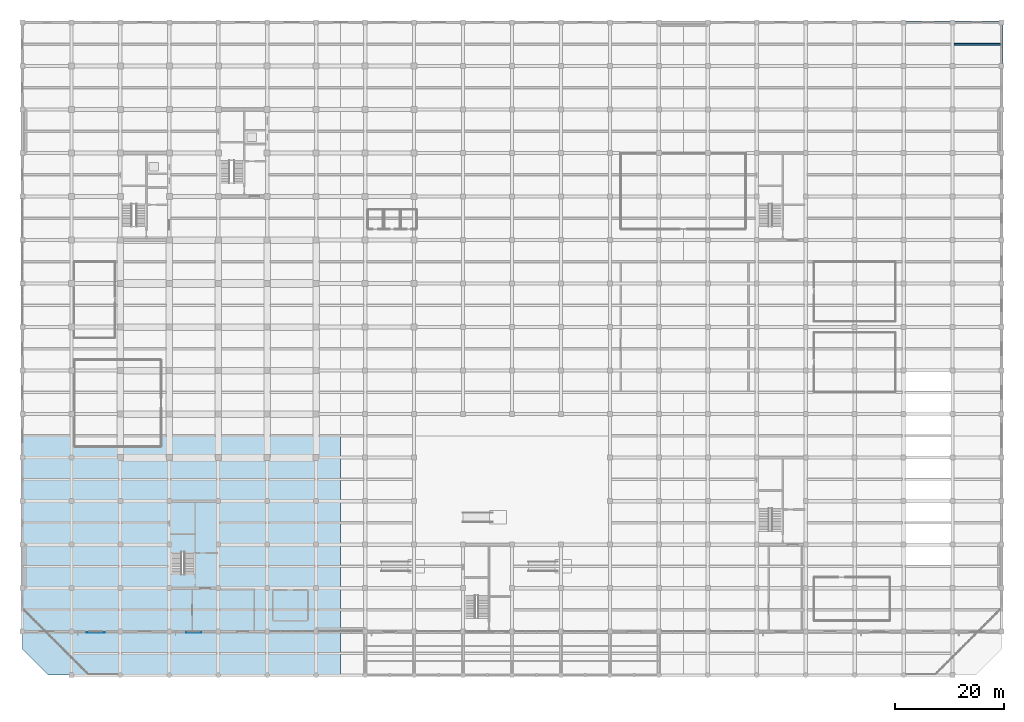
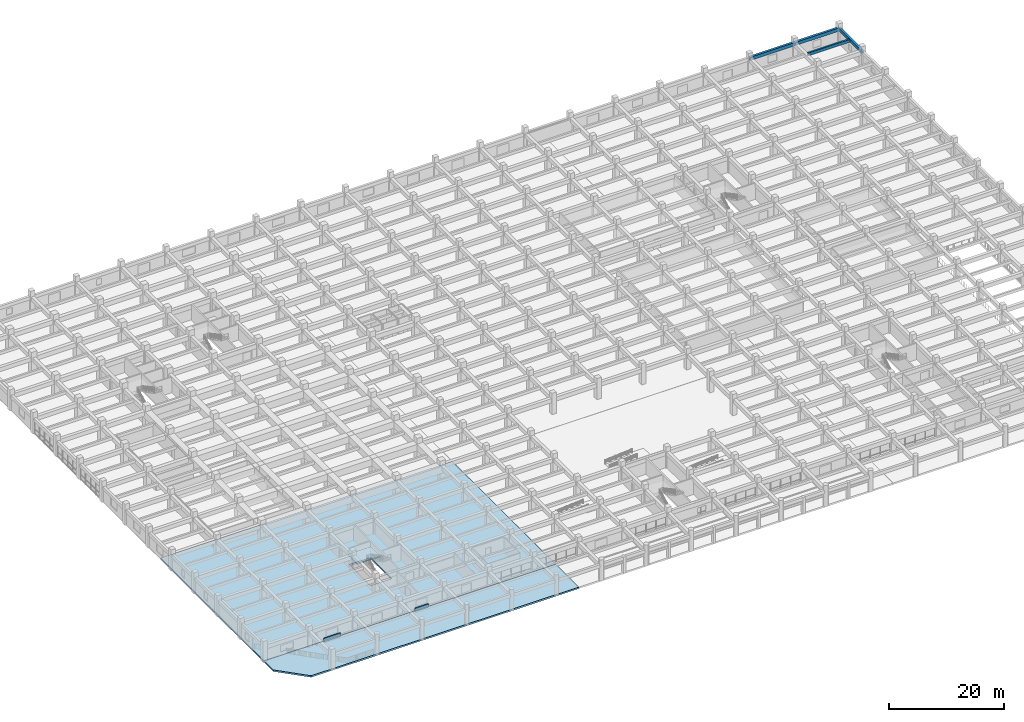
# One storey, part 16 of 40: 4 beams, 3 slabs, 2 plates, 1 element without a shape of its own.
"""IFC4 building model written with IfcOpenShell, lengths in metres."""

from ifc_helpers import new_model, si_unit, direction, frame, frame_2d, origin, origin_2d, place, context, subcontext, project, spatial, polyline, rectangle, outline, extrude, material, layer, layer_set, material_profile, profile_set, type_object, element, aggregate, save


model = new_model("IFC4")

# Units and contexts
model_context = context("Model", 3, precision=1e-05, world=origin(), true_north=direction((0.0, 1.0)))
body_context = subcontext(model_context, "Body", "Model", "MODEL_VIEW")
ifc_project = project(units=[si_unit("LENGTHUNIT", "METRE"), si_unit("AREAUNIT", "SQUARE_METRE"), si_unit("VOLUMEUNIT", "CUBIC_METRE"), si_unit("PLANEANGLEUNIT", "RADIAN"), si_unit("MASSUNIT", "GRAM", prefix="KILO")], contexts=[model_context])

# Site, building, storey
site_placement = place(None, origin())
site = spatial("IfcSite", under=ifc_project, at=site_placement, CompositionType="ELEMENT")
building_placement = place(site_placement, origin())
building = spatial("IfcBuilding", under=site, at=building_placement, Name="Zaverband Oceanarium and Marine Research Institute", CompositionType="ELEMENT")
storey_placement = place(building_placement, origin())
storey = spatial("IfcBuildingStorey", under=building, at=storey_placement, Name="L00", CompositionType="ELEMENT", Elevation=0.0)

# Beams
ifc_material_1 = material(Name="Concrete C40/50", Category="concrete")
ifc_material_profile_1 = material_profile(ifc_material_1, rectangle(XDim=0.35009765625, YDim=0.60009765625, at=origin_2d()), Name="RC350x600")
ifc_profile_set_1 = profile_set([ifc_material_profile_1], Name="Concrete C40/50")
beam_type_1 = type_object("IfcBeamType", Name="JST-350x600", PredefinedType="JOIST", material=ifc_profile_set_1)
beam_1_placement = place(storey_placement, frame((171.300048828125, 116.0, 3.14990234375), z_axis=(1.0, 0.0, 0.0), x_axis=(0.0, 1.0, 0.0)))
element("IfcBeam", 1, at=beam_1_placement, inside=storey, type_object=beam_type_1, Name="Secondary floor joist JST-350x600", PredefinedType="JOIST", context=body_context, shape_type="SweptSolid", body=[
    extrude(rectangle(XDim=0.35009765625, YDim=0.60009765625, at=origin_2d()), origin(), (0.0, 0.0, 1.0), 8.474853515625),
])
ifc_material_profile_2 = material_profile(ifc_material_1, rectangle(XDim=0.449951171875, YDim=0.699951171875, at=origin_2d()), Name="RC450x700")
ifc_profile_set_2 = profile_set([ifc_material_profile_2], Name="Concrete C40/50")
beam_type_2 = type_object("IfcBeamType", Name="SPN-450x700", PredefinedType="SPANDREL", material=ifc_profile_set_2)
for number, where, z_axis, x_axis, name in (
    (2, (162.0, 120.0, 3.10009765625), (1.0, 0.0, 0.0), (0.0, 1.0, 0.0), "Perimeter spandrel beam SPN-450x700"),
    (3, (171.0, 120.0, 3.10009765625), (1.0, 0.0, 0.0), (0.0, 1.0, 0.0), "Perimeter spandrel beam SPN-450x700"),
):
    element("IfcBeam", number, at=place(storey_placement, frame(where, z_axis=z_axis, x_axis=x_axis)), inside=storey, type_object=beam_type_2, Name=name, PredefinedType="SPANDREL", context=body_context, shape_type="SweptSolid", body=[
        extrude(rectangle(XDim=0.449951171875, YDim=0.699951171875, at=origin_2d()), origin(), (0.0, 0.0, 1.0), 9.0),
    ])
beam_2_placement = place(storey_placement, frame((180.0, 112.0, 3.10009765625), z_axis=(0.0, 1.0, 0.0), x_axis=(-1.0, 0.0, 0.0)))
element("IfcBeam", 4, at=beam_2_placement, inside=storey, type_object=beam_type_2, Name="Perimeter spandrel beam SPN-450x700", PredefinedType="SPANDREL", context=body_context, shape_type="SweptSolid", body=[
    extrude(rectangle(XDim=0.449951171875, YDim=0.699951171875, at=origin_2d()), origin(), (0.0, 0.0, 1.0), 8.0),
])

# Plates
ifc_material_2 = material(Name="Concrete C40/50 precast ochre", Category="concrete")
ifc_layer_1 = layer(ifc_material_2, 0.080078125, Name="Concrete C40/50 precast ochre")
ifc_layer_set_1 = layer_set([ifc_layer_1], Name="Concrete C40/50 precast ochre")
plate_type_1 = type_object("IfcPlateType", Name="FRP-2750x760", PredefinedType="USERDEFINED", material=ifc_layer_set_1)
plate_1_placement = place(storey_placement, frame((30.125, 7.842529296875, 0.0), z_axis=(0.0, 0.0, 1.0), x_axis=(1.0, 0.0, 0.0)))
element("IfcPlate", 5, at=plate_1_placement, inside=storey, type_object=plate_type_1, Name="Geometric precast facade cladding panel FRP-2750x760", ObjectType="FLANGE_PLATE", PredefinedType="USERDEFINED", context=body_context, shape_type="SweptSolid", body=[
    extrude(rectangle(XDim=2.75, YDim=0.080078125, at=frame_2d((1.375, 0.0))), origin(), (0.0, 0.0, 1.0), 0.760009765625),
])
ifc_layer_2 = layer(ifc_material_2, 0.0849609375, Name="Concrete C40/50 precast ochre")
ifc_layer_set_2 = layer_set([ifc_layer_2], Name="Concrete C40/50 precast ochre")
plate_type_2 = type_object("IfcPlateType", Name="FRP-3300x800", PredefinedType="USERDEFINED", material=ifc_layer_set_2)
plate_2_placement = place(storey_placement, frame((11.85009765625, 7.8173828125, 0.0), z_axis=(0.0, 0.0, 1.0), x_axis=(1.0, 0.0, 0.0)))
element("IfcPlate", 6, at=plate_2_placement, inside=storey, type_object=plate_type_2, Name="Geometric precast facade cladding panel FRP-3300x800", ObjectType="FLANGE_PLATE", PredefinedType="USERDEFINED", context=body_context, shape_type="SweptSolid", body=[
    extrude(rectangle(XDim=3.2998046875, YDim=0.0849609375, at=frame_2d((1.64990234375, 0.0))), origin(), (0.0, 0.0, 1.0), 0.800048828125),
])

# Slab
ifc_layer_3 = layer(ifc_material_1, 0.340087890625, Name="Concrete C40/50")
ifc_layer_set_3 = layer_set([ifc_layer_3], Name="Concrete C40/50")
slab_type_1 = type_object("IfcSlabType", Name="SLB-ARC-340", PredefinedType="FLOOR", material=ifc_layer_set_3)
slab_1_placement = place(storey_placement, frame((0.0, 0.0, -0.340087890625)))
element("IfcSlab", 7, at=slab_1_placement, inside=storey, type_object=slab_type_1, Name="Exterior terrace / balcony deck SLB-ARC-340", PredefinedType="FLOOR", context=body_context, shape_type="SweptSolid", body=[
    extrude(outline(polyline([(4.800048828125, 0.0), (58.485107421875, 0.0), (58.485107421875, 7.985107421875), (0.0, 7.985107421875), (0.0, 4.800048828125), (4.800048828125, 0.0)])), origin(), (0.0, 0.0, 1.0), 0.340087890625),
])

# Stair, slab
stair_type = type_object("IfcStairType", Name="STR-POD-1800-4500", PredefinedType="HALF_TURN_STAIR", material=ifc_material_1)
stair_placement = place(storey_placement, origin())
stair = element("IfcStair", 8, at=stair_placement, inside=storey, type_object=stair_type, Name="Exit Stair ST-03 (L00)", PredefinedType="HALF_TURN_STAIR")
ifc_layer_4 = layer(ifc_material_1, 0.219970703125, Name="Concrete C40/50")
ifc_layer_set_4 = layer_set([ifc_layer_4], Name="Concrete C40/50")
slab_type_2 = type_object("IfcSlabType", Name="SLB-LND-220", PredefinedType="LANDING", material=ifc_layer_set_4)
slab_2_placement = place(storey_placement, frame((0.0, 0.0, 2.030029296875)))
slab_2 = element("IfcSlab", 9, at=slab_2_placement, type_object=slab_type_2, Name="Stair / ramp landing slab SLB-LND-220", PredefinedType="LANDING", context=body_context, shape_type="SweptSolid", body=[
    extrude(outline(polyline([(27.139892578125, 22.570068359375), (31.735107421875, 22.570068359375), (31.735107421875, 25.93505859375), (27.139892578125, 25.93505859375), (27.139892578125, 22.570068359375)])), origin(), (0.0, 0.0, 1.0), 0.219970703125),
])
aggregate(stair, [slab_2])

# Slab
ifc_layer_5 = layer(ifc_material_1, 0.35009765625, Name="Concrete C40/50")
ifc_layer_set_5 = layer_set([ifc_layer_5], Name="Concrete C40/50")
slab_type_3 = type_object("IfcSlabType", Name="SLB-PLZ-350", PredefinedType="FLOOR", material=ifc_layer_set_5)
slab_3_placement = place(storey_placement, frame((0.0, 0.0, -0.35009765625)))
element("IfcSlab", 10, at=slab_3_placement, inside=storey, type_object=slab_type_3, Name="Suspended floor slab SLB-PLZ-350", PredefinedType="FLOOR", context=body_context, shape_type="SweptSolid", body=[
    extrude(outline(polyline([(0.0, 43.985107421875), (58.485107421875, 43.985107421875), (58.485107421875, 8.014892578125), (0.0, 8.014892578125), (0.0, 43.985107421875)]), holes=[polyline([(31.64990234375, 25.85009765625), (27.35009765625, 25.85009765625), (27.35009765625, 18.5), (31.64990234375, 18.5), (31.64990234375, 25.85009765625)])]), origin(), (0.0, 0.0, 1.0), 0.35009765625),
])

save(model, "model.ifc")
